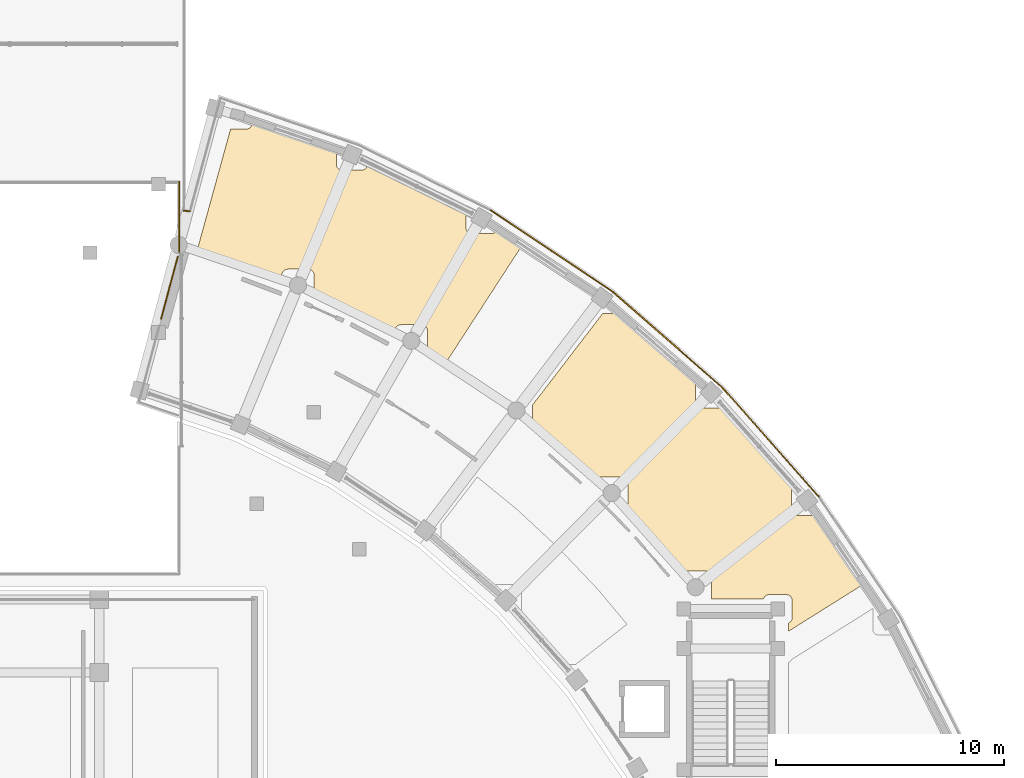
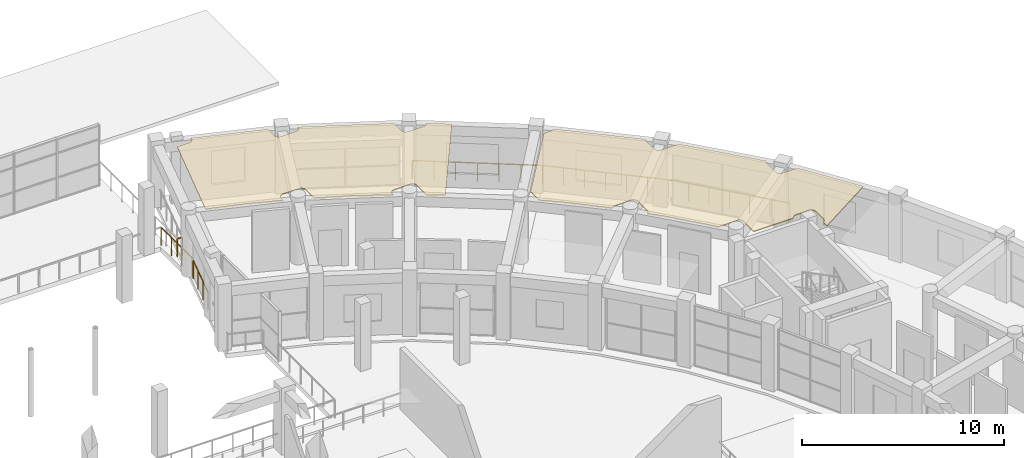
# One storey, part 85 of 87: 6 railings, 2 coverings.
"""IFC4 building model written with IfcOpenShell, lengths in metres."""

from ifc_helpers import new_model, si_unit, direction, frame, origin, origin_2d, place, context, subcontext, project, spatial, polyline, rectangle, outline, extrude, material, layer, layer_set, type_object, element, save


model = new_model("IFC4")

# Units and contexts
model_context = context("Model", 3, precision=1e-05, world=origin(), true_north=direction((0.0, 1.0)))
body_context = subcontext(model_context, "Body", "Model", "MODEL_VIEW")
ifc_project = project(units=[si_unit("LENGTHUNIT", "METRE"), si_unit("AREAUNIT", "SQUARE_METRE"), si_unit("VOLUMEUNIT", "CUBIC_METRE"), si_unit("PLANEANGLEUNIT", "RADIAN"), si_unit("MASSUNIT", "GRAM", prefix="KILO")], contexts=[model_context])

# Site, building, storey
site_placement = place(None, origin())
site = spatial("IfcSite", under=ifc_project, at=site_placement, CompositionType="ELEMENT")
building_placement = place(site_placement, origin())
building = spatial("IfcBuilding", under=site, at=building_placement, Name="Saryqyr Civic Hall", CompositionType="ELEMENT")
storey_placement = place(building_placement, frame((0.0, 0.0, 5.10009765625)))
storey = spatial("IfcBuildingStorey", under=building, at=storey_placement, Name="L01", CompositionType="ELEMENT", Elevation=5.10009765625)

# Coverings
ifc_material_1 = material(Name="Mineral-fibre acoustic ceiling tile", Category="acoustic_tile")
ifc_layer_1 = layer(ifc_material_1, 0.06005859375, Name="Mineral-fibre acoustic ceiling tile")
ifc_layer_set_1 = layer_set([ifc_layer_1], Name="Mineral-fibre acoustic ceiling tile")
covering_type = type_object("IfcCoveringType", Name="INT-COV-CEIL-60", PredefinedType="CEILING", material=ifc_layer_set_1)
covering_1_placement = place(storey_placement, frame((0.0, 0.0, 3.7099609375)))
element("IfcCovering", 1, at=covering_1_placement, inside=storey, type_object=covering_type, Name="Acoustic ceiling Heritage Conservation & Foothills Studio", PredefinedType="CEILING", context=body_context, shape_type="SweptSolid", body=[
    extrude(outline(polyline([(94.85888671875, 108.7919921875), (94.878662109375, 108.806640625), (94.896728515625, 108.8232421875), (94.913330078125, 108.84130859375), (94.927978515625, 108.861083984375), (94.9404296875, 108.882080078125), (94.950927734375, 108.904296875), (94.959228515625, 108.927490234375), (94.965087890625, 108.951171875), (94.96875, 108.9755859375), (94.969970703125, 109.0), (94.969970703125, 109.760009765625), (94.96875, 109.784423828125), (94.965087890625, 109.808837890625), (94.959228515625, 109.83251953125), (94.950927734375, 109.855712890625), (94.9404296875, 109.877685546875), (94.927978515625, 109.89892578125), (94.913330078125, 109.918701171875), (94.896728515625, 109.936767578125), (94.878662109375, 109.953369140625), (94.85888671875, 109.968017578125), (94.837890625, 109.98046875), (94.815673828125, 109.990966796875), (94.79248046875, 109.999267578125), (94.768798828125, 110.005126953125), (94.744384765625, 110.0087890625), (94.719970703125, 110.010009765625), (93.9599609375, 110.010009765625), (93.935546875, 110.0087890625), (93.9111328125, 110.005126953125), (93.887451171875, 109.999267578125), (93.8642578125, 109.990966796875), (93.84228515625, 109.98046875), (93.821044921875, 109.968017578125), (93.801513671875, 109.953369140625), (93.783203125, 109.936767578125), (93.7666015625, 109.918701171875), (93.752197265625, 109.89892578125), (93.739501953125, 109.877685546875), (93.72900390625, 109.855712890625), (93.720703125, 109.83251953125), (93.717529296875, 109.820068359375), (91.435546875, 109.820068359375), (91.438720703125, 109.831787109375), (91.442138671875, 109.856201171875), (91.443359375, 109.880615234375), (91.443359375, 110.79052734375), (91.442138671875, 110.815185546875), (91.438720703125, 110.83935546875), (91.4326171875, 110.86328125), (91.42431640625, 110.88623046875), (91.413818359375, 110.908447265625), (91.4013671875, 110.929443359375), (91.38671875, 110.94921875), (91.3701171875, 110.96728515625), (91.35205078125, 110.98388671875), (91.332275390625, 110.99853515625), (91.311279296875, 111.010986328125), (91.2890625, 111.021484375), (91.26611328125, 111.02978515625), (91.2421875, 111.035888671875), (91.218017578125, 111.039306640625), (91.193359375, 111.04052734375), (90.283447265625, 111.04052734375), (90.2587890625, 111.039306640625), (90.234619140625, 111.035888671875), (90.210693359375, 111.02978515625), (90.187744140625, 111.021484375), (90.16552734375, 111.010986328125), (90.14453125, 110.99853515625), (90.144287109375, 110.998291015625), (90.125, 111.023681640625), (90.103515625, 111.050048828125), (88.384033203125, 113.027099609375), (88.36083984375, 113.05224609375), (87.635498046875, 113.78857421875), (87.635498046875, 113.788818359375), (87.65673828125, 113.80126953125), (87.676513671875, 113.81591796875), (87.694580078125, 113.83251953125), (87.711181640625, 113.8505859375), (87.7255859375, 113.870361328125), (87.73828125, 113.891357421875), (87.748779296875, 113.91357421875), (87.757080078125, 113.9365234375), (87.762939453125, 113.96044921875), (87.7666015625, 113.984619140625), (87.767822265625, 114.00927734375), (87.767822265625, 114.919189453125), (87.7666015625, 114.943603515625), (87.762939453125, 114.968017578125), (87.757080078125, 114.99169921875), (87.748779296875, 115.014892578125), (87.73828125, 115.037109375), (87.7255859375, 115.05810546875), (87.711181640625, 115.077880859375), (87.694580078125, 115.095947265625), (87.676513671875, 115.112548828125), (87.65673828125, 115.127197265625), (87.635498046875, 115.1396484375), (87.613525390625, 115.150146484375), (87.59033203125, 115.158447265625), (87.566650390625, 115.164306640625), (87.542236328125, 115.16796875), (87.517822265625, 115.169189453125), (86.60791015625, 115.169189453125), (86.583251953125, 115.16796875), (86.55908203125, 115.164306640625), (86.53515625, 115.158447265625), (86.51220703125, 115.150146484375), (86.489990234375, 115.1396484375), (86.468994140625, 115.127197265625), (86.44921875, 115.112548828125), (86.430908203125, 115.095947265625), (86.41455078125, 115.077880859375), (86.39990234375, 115.05810546875), (86.388916015625, 115.039794921875), (84.546630859375, 116.691162109375), (84.5205078125, 116.713134765625), (83.544189453125, 117.48486328125), (83.548583984375, 117.49072265625), (83.561279296875, 117.511962890625), (83.57177734375, 117.533935546875), (83.580078125, 117.55712890625), (83.5859375, 117.580810546875), (83.589599609375, 117.605224609375), (83.5908203125, 117.629638671875), (83.5908203125, 118.3251953125), (86.673095703125, 122.34228515625), (87.065673828125, 122.34228515625), (87.090087890625, 122.343505859375), (87.114501953125, 122.346923828125), (87.13818359375, 122.35302734375), (87.161376953125, 122.361083984375), (87.183349609375, 122.37158203125), (87.20458984375, 122.38427734375), (87.22412109375, 122.39892578125), (87.242431640625, 122.415283203125), (87.25244140625, 122.426513671875), (87.677001953125, 122.09130859375), (90.7548828125, 119.398193359375), (90.74853515625, 119.3798828125), (90.742431640625, 119.356201171875), (90.739013671875, 119.331787109375), (90.73779296875, 119.307373046875), (90.73779296875, 118.447265625), (90.739013671875, 118.4228515625), (90.742431640625, 118.3984375), (90.74853515625, 118.374755859375), (90.756591796875, 118.3515625), (90.76708984375, 118.32958984375), (90.77978515625, 118.308349609375), (90.79443359375, 118.288818359375), (90.810791015625, 118.2705078125), (90.8291015625, 118.25390625), (90.848876953125, 118.239501953125), (90.869873046875, 118.226806640625), (90.89208984375, 118.21630859375), (90.9150390625, 118.2080078125), (90.93896484375, 118.2021484375), (90.963134765625, 118.198486328125), (90.98779296875, 118.197265625), (91.84765625, 118.197265625), (91.872314453125, 118.198486328125), (91.896484375, 118.2021484375), (91.92041015625, 118.2080078125), (91.943359375, 118.21630859375), (91.943603515625, 118.216552734375), (92.276611328125, 117.878662109375), (95.027099609375, 114.7646484375), (95.018798828125, 114.75732421875), (95.00244140625, 114.7392578125), (94.98779296875, 114.719482421875), (94.97509765625, 114.698486328125), (94.964599609375, 114.67626953125), (94.95654296875, 114.6533203125), (94.950439453125, 114.62939453125), (94.947021484375, 114.60498046875), (94.94580078125, 114.58056640625), (94.94580078125, 113.720703125), (94.947021484375, 113.696044921875), (94.950439453125, 113.671875), (94.95654296875, 113.64794921875), (94.964599609375, 113.625), (94.97509765625, 113.602783203125), (94.98779296875, 113.581787109375), (95.00244140625, 113.56201171875), (95.018798828125, 113.543701171875), (95.037109375, 113.52734375), (95.056884765625, 113.5126953125), (95.077880859375, 113.5), (95.10009765625, 113.489501953125), (95.123046875, 113.4814453125), (95.14697265625, 113.475341796875), (95.171142578125, 113.4716796875), (95.19580078125, 113.470703125), (96.031005859375, 113.470703125), (96.29736328125, 113.122802734375), (98.094970703125, 110.466796875), (94.820068359375, 108.4111328125), (94.820068359375, 108.77099609375), (94.837890625, 108.779541015625), (94.85888671875, 108.7919921875)])), origin(), (0.0, 0.0, 1.0), 0.06005859375),
])
covering_2_placement = place(storey_placement, frame((0.0, 0.0, 3.7099609375)))
element("IfcCovering", 2, at=covering_2_placement, inside=storey, type_object=covering_type, Name="Acoustic ceiling Staff & Accessible MGN WC L01-N", PredefinedType="CEILING", context=body_context, shape_type="SweptSolid", body=[
    extrude(outline(polyline([(78.97900390625, 120.644775390625), (78.980712890625, 120.656982421875), (78.98193359375, 120.681640625), (78.98193359375, 121.591552734375), (78.980712890625, 121.6162109375), (78.977294921875, 121.640380859375), (78.97119140625, 121.664306640625), (78.962890625, 121.687255859375), (78.952392578125, 121.70947265625), (78.93994140625, 121.73046875), (78.92529296875, 121.750244140625), (78.90869140625, 121.768310546875), (78.890625, 121.784912109375), (78.870849609375, 121.799560546875), (78.849853515625, 121.81201171875), (78.82763671875, 121.822509765625), (78.8046875, 121.830810546875), (78.78076171875, 121.8369140625), (78.756591796875, 121.84033203125), (78.73193359375, 121.841552734375), (77.822021484375, 121.841552734375), (77.797607421875, 121.84033203125), (77.773193359375, 121.8369140625), (77.74951171875, 121.830810546875), (77.726318359375, 121.822509765625), (77.7041015625, 121.81201171875), (77.68310546875, 121.799560546875), (77.663330078125, 121.784912109375), (77.645263671875, 121.768310546875), (77.628662109375, 121.750244140625), (77.614013671875, 121.73046875), (77.6015625, 121.70947265625), (77.591064453125, 121.687255859375), (77.582763671875, 121.664306640625), (77.576904296875, 121.640380859375), (77.5732421875, 121.6162109375), (77.572021484375, 121.591552734375), (77.572021484375, 121.460693359375), (75.720458984375, 122.432861328125), (75.690185546875, 122.447509765625), (74.018310546875, 123.19873046875), (74.018310546875, 124.024169921875), (74.01708984375, 124.048583984375), (74.013427734375, 124.072998046875), (74.007568359375, 124.0966796875), (73.999267578125, 124.119873046875), (73.98876953125, 124.141845703125), (73.976318359375, 124.1630859375), (73.961669921875, 124.1826171875), (73.945068359375, 124.200927734375), (73.927001953125, 124.21728515625), (73.9072265625, 124.23193359375), (73.885986328125, 124.24462890625), (73.864013671875, 124.255126953125), (73.8408203125, 124.26318359375), (73.817138671875, 124.269287109375), (73.792724609375, 124.27294921875), (73.768310546875, 124.274169921875), (72.8583984375, 124.274169921875), (72.833740234375, 124.27294921875), (72.8095703125, 124.269287109375), (72.78564453125, 124.26318359375), (72.7626953125, 124.255126953125), (72.740478515625, 124.24462890625), (72.719482421875, 124.23193359375), (72.69970703125, 124.21728515625), (72.681396484375, 124.200927734375), (72.6650390625, 124.1826171875), (72.650390625, 124.1630859375), (72.6376953125, 124.141845703125), (72.627197265625, 124.119873046875), (72.619140625, 124.0966796875), (72.613037109375, 124.072998046875), (72.609619140625, 124.048583984375), (72.6083984375, 124.024169921875), (72.6083984375, 123.781494140625), (70.874755859375, 124.435546875), (70.8427734375, 124.446533203125), (68.87841796875, 125.052978515625), (70.35791015625, 130.42431640625), (71.050537109375, 130.42431640625), (71.0751953125, 130.425537109375), (71.099365234375, 130.42919921875), (71.123291015625, 130.435302734375), (71.146240234375, 130.443359375), (71.16845703125, 130.453857421875), (71.189453125, 130.466552734375), (71.209228515625, 130.481201171875), (71.227294921875, 130.49755859375), (71.243896484375, 130.515869140625), (71.258544921875, 130.535400390625), (71.27099609375, 130.556640625), (71.281494140625, 130.57861328125), (71.289794921875, 130.601806640625), (71.2958984375, 130.62548828125), (71.29931640625, 130.64990234375), (71.300537109375, 130.67431640625), (71.300537109375, 130.73388671875), (74.6953125, 129.595703125), (74.996337890625, 129.48193359375), (74.996337890625, 128.87109375), (74.99755859375, 128.8466796875), (75.001220703125, 128.822265625), (75.007080078125, 128.798583984375), (75.015380859375, 128.775390625), (75.02587890625, 128.75341796875), (75.03857421875, 128.732177734375), (75.052978515625, 128.71240234375), (75.069580078125, 128.6943359375), (75.087890625, 128.677734375), (75.107421875, 128.6630859375), (75.128662109375, 128.650634765625), (75.150634765625, 128.64013671875), (75.173828125, 128.6318359375), (75.197509765625, 128.6259765625), (75.221923828125, 128.622314453125), (75.246337890625, 128.62109375), (76.1064453125, 128.62109375), (76.130859375, 128.622314453125), (76.1552734375, 128.6259765625), (76.178955078125, 128.6318359375), (76.2021484375, 128.64013671875), (76.22412109375, 128.650634765625), (76.245361328125, 128.6630859375), (76.264892578125, 128.677734375), (76.283203125, 128.6943359375), (76.2998046875, 128.71240234375), (76.314208984375, 128.732177734375), (76.326904296875, 128.75341796875), (76.33740234375, 128.775390625), (76.345703125, 128.798583984375), (76.3515625, 128.822265625), (76.355224609375, 128.8466796875), (76.3564453125, 128.87109375), (76.3564453125, 128.91943359375), (76.75341796875, 128.7412109375), (80.67919921875, 126.80517578125), (80.67919921875, 126.086181640625), (80.680419921875, 126.061767578125), (80.683837890625, 126.03759765625), (80.68994140625, 126.013671875), (80.697998046875, 125.990478515625), (80.70849609375, 125.968505859375), (80.72119140625, 125.947509765625), (80.73583984375, 125.927734375), (80.752197265625, 125.909423828125), (80.7705078125, 125.89306640625), (80.790283203125, 125.87841796875), (80.811279296875, 125.86572265625), (80.83349609375, 125.855224609375), (80.8564453125, 125.84716796875), (80.88037109375, 125.841064453125), (80.904541015625, 125.83740234375), (80.92919921875, 125.836181640625), (81.7890625, 125.836181640625), (81.813720703125, 125.83740234375), (81.837890625, 125.841064453125), (81.86181640625, 125.84716796875), (81.884765625, 125.855224609375), (81.906982421875, 125.86572265625), (81.927978515625, 125.87841796875), (81.94775390625, 125.89306640625), (81.9658203125, 125.909423828125), (81.982421875, 125.927734375), (81.9970703125, 125.947509765625), (82.009521484375, 125.968505859375), (82.02001953125, 125.990478515625), (82.0283203125, 126.013671875), (82.029541015625, 126.018310546875), (82.442138671875, 125.76806640625), (83.127197265625, 125.310302734375), (79.783203125, 120.156982421875), (78.97900390625, 120.644775390625)])), origin(), (0.0, 0.0, 1.0), 0.06005859375),
])

# Railings
ifc_material_2 = material(Name="Warm brushed brass and laminated glass", Category="glass")
ifc_layer_2 = layer(ifc_material_2, 0.06005859375, Name="Warm brushed brass and laminated glass")
ifc_layer_set_2 = layer_set([ifc_layer_2], Name="Warm brushed brass and laminated glass")
railing_type = type_object("IfcRailingType", Name="INT-RLG-BAL-1100", PredefinedType="BALUSTRADE", material=ifc_layer_set_2)
railing_1_placement = place(storey_placement, frame((68.300048828125, 126.846923828125, 0.0)))
element("IfcRailing", 3, at=railing_1_placement, inside=storey, type_object=railing_type, Name="Interior deck safety balustrade L01-027", PredefinedType="BALUSTRADE", context=body_context, shape_type="SweptSolid", body=[
    extrude(rectangle(XDim=0.048095703125, YDim=0.048095703125, at=origin_2d()), frame((0.0, 0.0, 1.09619140625), z_axis=(0.991457294924, -0.130431715243, 0.0), x_axis=(0.130431715243, 0.991457294924, 0.0)), (0.0, 0.0, 1.0), 0.277099609375),
    extrude(rectangle(XDim=0.0419921875, YDim=0.0419921875, at=origin_2d()), origin(), (0.0, 0.0, 1.0), 1.072021484375),
    extrude(rectangle(XDim=0.0419921875, YDim=0.0419921875, at=origin_2d()), frame((0.274658203125, -0.0361328125, 0.0)), (0.0, 0.0, 1.0), 1.072021484375),
])
railing_2_placement = place(storey_placement, frame((81.75, 126.8681640625, 0.0)))
element("IfcRailing", 4, at=railing_2_placement, inside=storey, type_object=railing_type, Name="Interior deck safety balustrade L01-031", PredefinedType="BALUSTRADE", context=body_context, shape_type="SweptSolid", body=[
    extrude(rectangle(XDim=0.048095703125, YDim=0.048095703125, at=origin_2d()), frame((0.0, 0.0, 1.09619140625), z_axis=(0.831452318502, -0.55559611415, 0.0), x_axis=(0.55559611415, 0.831452318502, 0.0)), (0.0, 0.0, 1.0), 6.474853515625),
    extrude(rectangle(XDim=0.0419921875, YDim=0.0419921875, at=origin_2d()), origin(), (0.0, 0.0, 1.0), 1.072021484375),
    extrude(rectangle(XDim=0.0419921875, YDim=0.0419921875, at=origin_2d()), frame((0.897216796875, -0.599609375, 0.0)), (0.0, 0.0, 1.0), 1.072021484375),
    extrude(rectangle(XDim=0.0419921875, YDim=0.0419921875, at=origin_2d()), frame((1.79443359375, -1.19921875, 0.0)), (0.0, 0.0, 1.0), 1.072021484375),
    extrude(rectangle(XDim=0.0419921875, YDim=0.0419921875, at=origin_2d()), frame((2.69189453125, -1.798828125, 0.0)), (0.0, 0.0, 1.0), 1.072021484375),
    extrude(rectangle(XDim=0.0419921875, YDim=0.0419921875, at=origin_2d()), frame((3.589111328125, -2.398193359375, 0.0)), (0.0, 0.0, 1.0), 1.072021484375),
    extrude(rectangle(XDim=0.0419921875, YDim=0.0419921875, at=origin_2d()), frame((4.486328125, -2.997802734375, 0.0)), (0.0, 0.0, 1.0), 1.072021484375),
    extrude(rectangle(XDim=0.0419921875, YDim=0.0419921875, at=origin_2d()), frame((5.383544921875, -3.597412109375, 0.0)), (0.0, 0.0, 1.0), 1.072021484375),
])
railing_3_placement = place(storey_placement, frame((87.133544921875, 123.270751953125, 0.0)))
element("IfcRailing", 5, at=railing_3_placement, inside=storey, type_object=railing_type, Name="Interior deck safety balustrade L01-032", PredefinedType="BALUSTRADE", context=body_context, shape_type="SweptSolid", body=[
    extrude(rectangle(XDim=0.048095703125, YDim=0.048095703125, at=origin_2d()), frame((0.0, 0.0, 1.09619140625), z_axis=(0.752633781672, -0.658439359915, 0.0), x_axis=(0.658439359915, 0.752633781672, 0.0)), (0.0, 0.0, 1.0), 6.35791015625),
    extrude(rectangle(XDim=0.0419921875, YDim=0.0419921875, at=origin_2d()), origin(), (0.0, 0.0, 1.0), 1.072021484375),
    extrude(rectangle(XDim=0.0419921875, YDim=0.0419921875, at=origin_2d()), frame((0.797607421875, -0.69775390625, 0.0)), (0.0, 0.0, 1.0), 1.072021484375),
    extrude(rectangle(XDim=0.0419921875, YDim=0.0419921875, at=origin_2d()), frame((1.594970703125, -1.3955078125, 0.0)), (0.0, 0.0, 1.0), 1.072021484375),
    extrude(rectangle(XDim=0.0419921875, YDim=0.0419921875, at=origin_2d()), frame((2.392578125, -2.09326171875, 0.0)), (0.0, 0.0, 1.0), 1.072021484375),
    extrude(rectangle(XDim=0.0419921875, YDim=0.0419921875, at=origin_2d()), frame((3.190185546875, -2.790771484375, 0.0)), (0.0, 0.0, 1.0), 1.072021484375),
    extrude(rectangle(XDim=0.0419921875, YDim=0.0419921875, at=origin_2d()), frame((3.987548828125, -3.488525390625, 0.0)), (0.0, 0.0, 1.0), 1.072021484375),
    extrude(rectangle(XDim=0.0419921875, YDim=0.0419921875, at=origin_2d()), frame((4.78515625, -4.186279296875, 0.0)), (0.0, 0.0, 1.0), 1.072021484375),
])
railing_4_placement = place(storey_placement, frame((91.918701171875, 119.08447265625, 0.0)))
element("IfcRailing", 6, at=railing_4_placement, inside=storey, type_object=railing_type, Name="Interior deck safety balustrade L01-033", PredefinedType="BALUSTRADE", context=body_context, shape_type="SweptSolid", body=[
    extrude(rectangle(XDim=0.048095703125, YDim=0.048095703125, at=origin_2d()), frame((0.0, 0.0, 1.09619140625), z_axis=(0.661996204778, -0.749507187997, 0.0), x_axis=(0.749507187997, 0.661996204778, 0.0)), (0.0, 0.0, 1.0), 6.35791015625),
    extrude(rectangle(XDim=0.0419921875, YDim=0.0419921875, at=origin_2d()), origin(), (0.0, 0.0, 1.0), 1.072021484375),
    extrude(rectangle(XDim=0.0419921875, YDim=0.0419921875, at=origin_2d()), frame((0.701416015625, -0.794189453125, 0.0)), (0.0, 0.0, 1.0), 1.072021484375),
    extrude(rectangle(XDim=0.0419921875, YDim=0.0419921875, at=origin_2d()), frame((1.403076171875, -1.58837890625, 0.0)), (0.0, 0.0, 1.0), 1.072021484375),
    extrude(rectangle(XDim=0.0419921875, YDim=0.0419921875, at=origin_2d()), frame((2.1044921875, -2.3828125, 0.0)), (0.0, 0.0, 1.0), 1.072021484375),
    extrude(rectangle(XDim=0.0419921875, YDim=0.0419921875, at=origin_2d()), frame((2.805908203125, -3.177001953125, 0.0)), (0.0, 0.0, 1.0), 1.072021484375),
    extrude(rectangle(XDim=0.0419921875, YDim=0.0419921875, at=origin_2d()), frame((3.507568359375, -3.97119140625, 0.0)), (0.0, 0.0, 1.0), 1.072021484375),
    extrude(rectangle(XDim=0.0419921875, YDim=0.0419921875, at=origin_2d()), frame((4.208984375, -4.765380859375, 0.0)), (0.0, 0.0, 1.0), 1.072021484375),
])
railing_5_placement = place(storey_placement, frame((68.10009765625, 125.039306640625, 0.0)))
element("IfcRailing", 7, at=railing_5_placement, inside=storey, type_object=railing_type, Name="Interior deck safety balustrade L01-064", PredefinedType="BALUSTRADE", context=body_context, shape_type="SweptSolid", body=[
    extrude(rectangle(XDim=0.048095703125, YDim=0.048095703125, at=origin_2d()), frame((0.0, 0.0, 1.09619140625), z_axis=(0.0, 1.0, 0.0), x_axis=(-1.0, 0.0, 0.0)), (0.0, 0.0, 1.0), 3.060791015625),
    extrude(rectangle(XDim=0.0419921875, YDim=0.0419921875, at=origin_2d()), origin(), (0.0, 0.0, 1.0), 1.072021484375),
    extrude(rectangle(XDim=0.0419921875, YDim=0.0419921875, at=origin_2d()), frame((0.0, 1.020263671875, 0.0)), (0.0, 0.0, 1.0), 1.072021484375),
    extrude(rectangle(XDim=0.0419921875, YDim=0.0419921875, at=origin_2d()), frame((0.0, 2.04052734375, 0.0)), (0.0, 0.0, 1.0), 1.072021484375),
    extrude(rectangle(XDim=0.0419921875, YDim=0.0419921875, at=origin_2d()), frame((0.0, 3.060791015625, 0.0)), (0.0, 0.0, 1.0), 1.072021484375),
])
railing_6_placement = place(storey_placement, frame((67.3125, 122.1005859375, 0.0)))
element("IfcRailing", 8, at=railing_6_placement, inside=storey, type_object=railing_type, Name="Interior deck safety balustrade L01-071", PredefinedType="BALUSTRADE", context=body_context, shape_type="SweptSolid", body=[
    extrude(rectangle(XDim=0.048095703125, YDim=0.048095703125, at=origin_2d()), frame((0.0, 0.0, 1.09619140625), z_axis=(0.258851866296, 0.965917031279, 0.0), x_axis=(-0.965917031279, 0.258851866296, 0.0)), (0.0, 0.0, 1.0), 2.810546875),
    extrude(rectangle(XDim=0.0419921875, YDim=0.0419921875, at=origin_2d()), origin(), (0.0, 0.0, 1.0), 1.072021484375),
    extrude(rectangle(XDim=0.0419921875, YDim=0.0419921875, at=origin_2d()), frame((0.242431640625, 0.905029296875, 0.0)), (0.0, 0.0, 1.0), 1.072021484375),
    extrude(rectangle(XDim=0.0419921875, YDim=0.0419921875, at=origin_2d()), frame((0.485107421875, 1.809814453125, 0.0)), (0.0, 0.0, 1.0), 1.072021484375),
    extrude(rectangle(XDim=0.0419921875, YDim=0.0419921875, at=origin_2d()), frame((0.7275390625, 2.71484375, 0.0)), (0.0, 0.0, 1.0), 1.072021484375),
])

save(model, "model.ifc")
